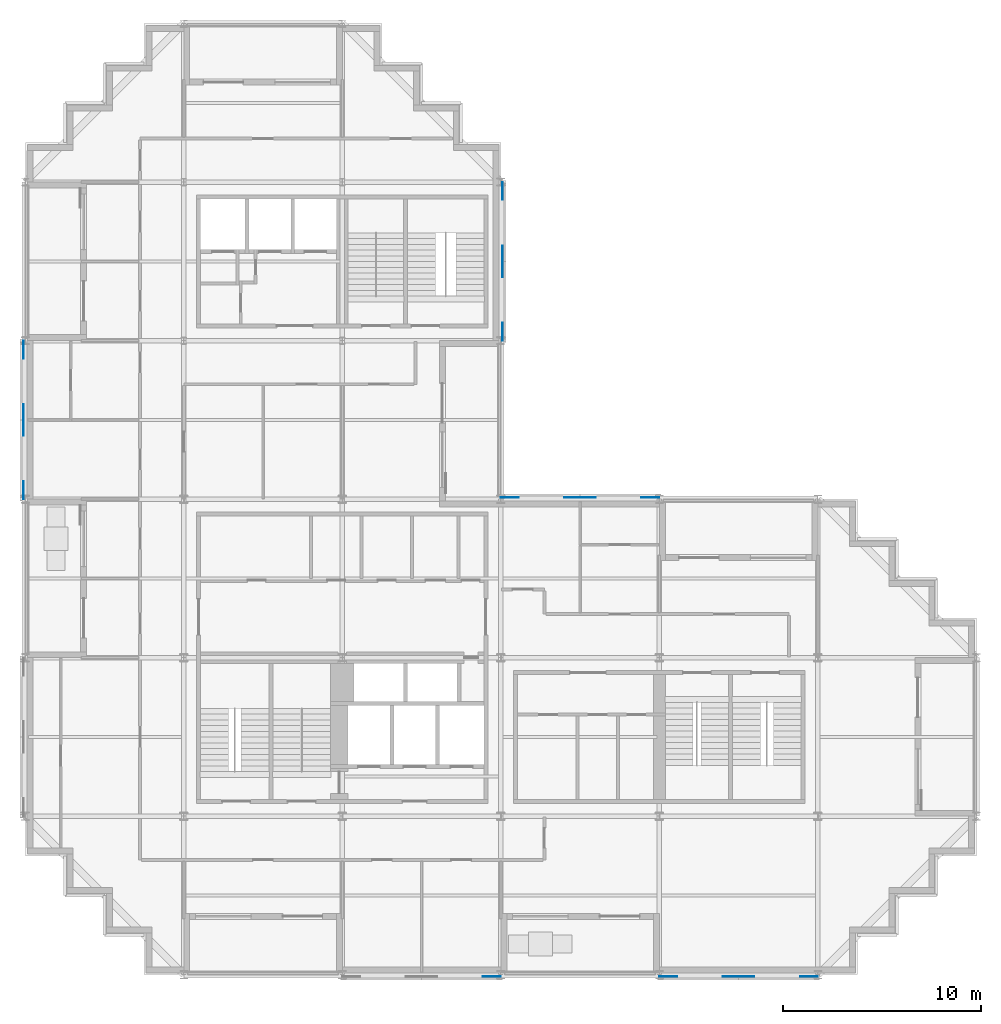
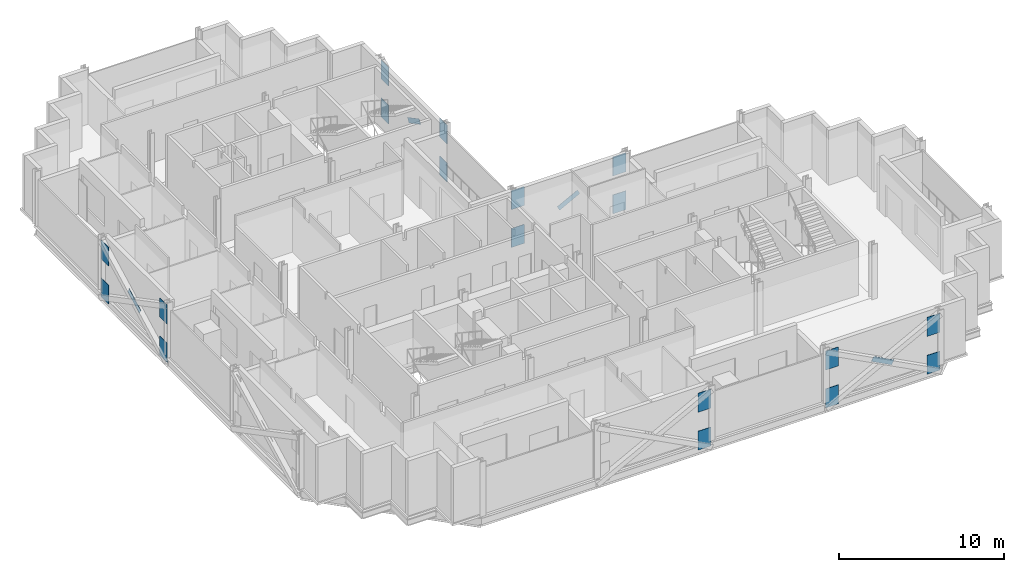
# One storey, part 10 of 13: 22 discrete accessories.
"""IFC4 building model written with IfcOpenShell, lengths in metres."""

from ifc_helpers import new_model, si_unit, direction, frame, origin, origin_2d, place, context, subcontext, project, spatial, rectangle, extrude, material, material_profile, profile_set, type_object, element, save


model = new_model("IFC4")

# Units and contexts
model_context = context("Model", 3, precision=1e-05, world=origin(), true_north=direction((0.0, 1.0)))
body_context = subcontext(model_context, "Body", "Model", "MODEL_VIEW")
ifc_project = project(units=[si_unit("LENGTHUNIT", "METRE"), si_unit("AREAUNIT", "SQUARE_METRE"), si_unit("VOLUMEUNIT", "CUBIC_METRE"), si_unit("PLANEANGLEUNIT", "RADIAN"), si_unit("MASSUNIT", "GRAM", prefix="KILO")], contexts=[model_context])

# Site, building, storey
site_placement = place(None, origin())
site = spatial("IfcSite", under=ifc_project, at=site_placement, CompositionType="ELEMENT")
building_placement = place(site_placement, origin())
building = spatial("IfcBuilding", under=site, at=building_placement, Name="Immortelle Media Tower", CompositionType="ELEMENT")
storey_placement = place(building_placement, frame((0.0, 0.0, 170.39990234375)))
storey = spatial("IfcBuildingStorey", under=building, at=storey_placement, Name="L35", CompositionType="ELEMENT", Elevation=170.39990234375)

# Discrete accessories
ifc_material = material(Name="Steel ASTM A572 Gr 50", Category="steel")
ifc_material_profile_1 = material_profile(ifc_material, rectangle(XDim=0.02392578125, YDim=0.35595703125, at=origin_2d()), Name="PL 24 x 356")
ifc_profile_set_1 = profile_set([ifc_material_profile_1], Name="Steel ASTM A572 Gr 50")
discrete_accessory_type_1 = type_object("IfcDiscreteAccessoryType", Name="Crossing plate XP-BR5 1600 x 356 x 24", PredefinedType="USERDEFINED", material=ifc_profile_set_1)
for number, where, z_axis, x_axis, name in (
    (1, (28.708251953125, 24.087890625, 2.015869140625), (-0.885401043099, 0.0, -0.464827917491), (0.0, -1.0, 0.0), "Crossing plate XP-BR5 of Brace D/4-5 A and Brace D/4-5 B"),
    (2, (24.087890625, 35.291748046875, 2.015869140625), (0.0, 0.885401043099, -0.464827917491), (-1.0, 0.0, 0.0), "Crossing plate XP-BR5 of Brace 4/E-F A and Brace 4/E-F B"),
    (3, (-0.087890625, 28.708251953125, 2.015869140625), (0.0, -0.885401043099, -0.464827917491), (1.0, 0.0, 0.0), "Crossing plate XP-BR5 of Brace 1/D-E A and Brace 1/D-E B"),
    (4, (35.291748046875, -0.087890625, 2.015869140625), (0.885401043099, 0.0, -0.464827917491), (0.0, 1.0, 0.0), "Crossing plate XP-BR5 of Brace A/5-6 A and Brace A/5-6 B"),
):
    element("IfcDiscreteAccessory", number, at=place(storey_placement, frame(where, z_axis=z_axis, x_axis=x_axis)), inside=storey, type_object=discrete_accessory_type_1, Name=name, ObjectType="CROSSING PLATE", PredefinedType="USERDEFINED", context=body_context, shape_type="SweptSolid", body=[
        extrude(rectangle(XDim=0.02392578125, YDim=0.35595703125, at=origin_2d()), origin(), (0.0, 0.0, 1.0), 1.599853515625),
    ])
ifc_material_profile_2 = material_profile(ifc_material, rectangle(XDim=0.031982421875, YDim=1.39990234375, at=origin_2d()), Name="PL 32 x 1400")
ifc_profile_set_2 = profile_set([ifc_material_profile_2], Name="Steel ASTM A572 Gr 50")
discrete_accessory_type_2 = type_object("IfcDiscreteAccessoryType", Name="Gusset plate GP1 900 x 1400 x 32", PredefinedType="USERDEFINED", material=ifc_profile_set_2)
for number, where, z_axis, x_axis, name in (
    (5, (24.0, -0.087890625, 3.044189453125), (-1.0, 0.0, 0.0), (0.0, -1.0, 0.0), "Gusset plate GP1, upper end of Brace A/3-4 A"),
    (6, (24.0, -0.087890625, 0.244140625), (-1.0, 0.0, 0.0), (0.0, -1.0, 0.0), "Gusset plate GP1, lower end of Brace A/3-4 B"),
    (7, (32.0, -0.087890625, 0.244140625), (1.0, 0.0, 0.0), (0.0, 1.0, 0.0), "Gusset plate GP1, lower end of Brace A/5-6 A"),
    (8, (40.0, -0.087890625, 3.044189453125), (-1.0, 0.0, 0.0), (0.0, -1.0, 0.0), "Gusset plate GP1, upper end of Brace A/5-6 A"),
    (9, (40.0, -0.087890625, 0.244140625), (-1.0, 0.0, 0.0), (0.0, -1.0, 0.0), "Gusset plate GP1, lower end of Brace A/5-6 B"),
    (10, (32.0, -0.087890625, 3.044189453125), (1.0, 0.0, 0.0), (0.0, 1.0, 0.0), "Gusset plate GP1, upper end of Brace A/5-6 B"),
    (11, (32.0, 24.087890625, 0.244140625), (-1.0, 0.0, 0.0), (0.0, -1.0, 0.0), "Gusset plate GP1, lower end of Brace D/4-5 A"),
    (12, (24.0, 24.087890625, 3.044189453125), (1.0, 0.0, 0.0), (0.0, 1.0, 0.0), "Gusset plate GP1, upper end of Brace D/4-5 A"),
    (13, (24.0, 24.087890625, 0.244140625), (1.0, 0.0, 0.0), (0.0, 1.0, 0.0), "Gusset plate GP1, lower end of Brace D/4-5 B"),
    (14, (32.0, 24.087890625, 3.044189453125), (-1.0, 0.0, 0.0), (0.0, -1.0, 0.0), "Gusset plate GP1, upper end of Brace D/4-5 B"),
    (15, (24.087890625, 32.0, 0.244140625), (0.0, 1.0, 0.0), (-1.0, 0.0, 0.0), "Gusset plate GP1, lower end of Brace 4/E-F A"),
    (16, (24.087890625, 40.0, 3.044189453125), (0.0, -1.0, 0.0), (1.0, 0.0, 0.0), "Gusset plate GP1, upper end of Brace 4/E-F A"),
    (17, (24.087890625, 40.0, 0.244140625), (0.0, -1.0, 0.0), (1.0, 0.0, 0.0), "Gusset plate GP1, lower end of Brace 4/E-F B"),
    (18, (24.087890625, 32.0, 3.044189453125), (0.0, 1.0, 0.0), (-1.0, 0.0, 0.0), "Gusset plate GP1, upper end of Brace 4/E-F B"),
    (19, (-0.087890625, 32.0, 0.244140625), (0.0, -1.0, 0.0), (1.0, 0.0, 0.0), "Gusset plate GP1, lower end of Brace 1/D-E A"),
    (20, (-0.087890625, 24.0, 3.044189453125), (0.0, 1.0, 0.0), (-1.0, 0.0, 0.0), "Gusset plate GP1, upper end of Brace 1/D-E A"),
    (21, (-0.087890625, 24.0, 0.244140625), (0.0, 1.0, 0.0), (-1.0, 0.0, 0.0), "Gusset plate GP1, lower end of Brace 1/D-E B"),
    (22, (-0.087890625, 32.0, 3.044189453125), (0.0, -1.0, 0.0), (1.0, 0.0, 0.0), "Gusset plate GP1, upper end of Brace 1/D-E B"),
):
    element("IfcDiscreteAccessory", number, at=place(storey_placement, frame(where, z_axis=z_axis, x_axis=x_axis)), inside=storey, type_object=discrete_accessory_type_2, Name=name, ObjectType="GUSSET PLATE", PredefinedType="USERDEFINED", context=body_context, shape_type="SweptSolid", body=[
        extrude(rectangle(XDim=0.031982421875, YDim=1.39990234375, at=origin_2d()), origin(), (0.0, 0.0, 1.0), 0.89990234375),
    ])

save(model, "model.ifc")
